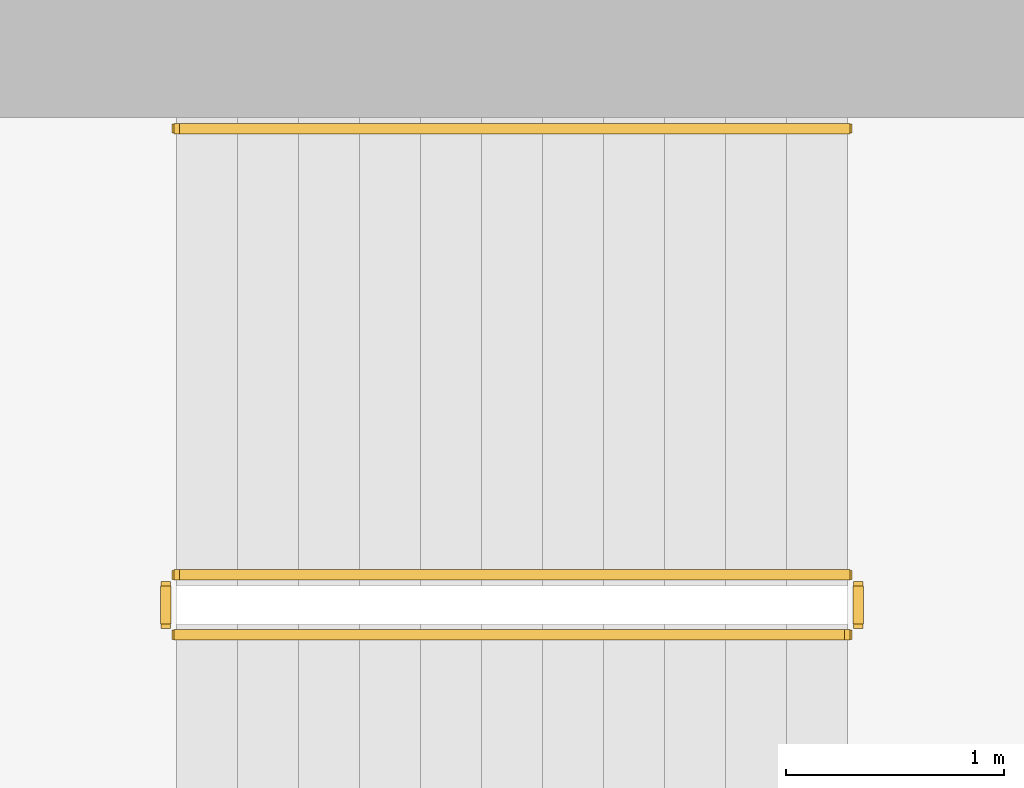
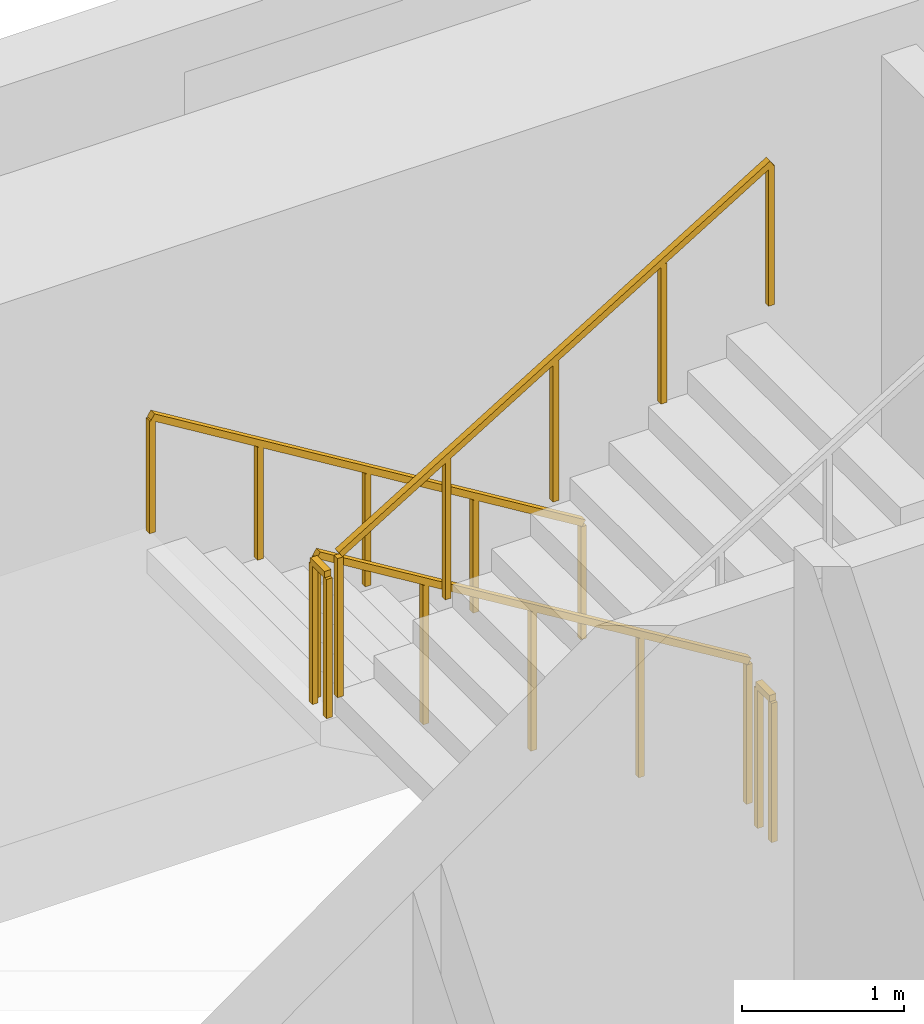
# One storey, part 13 of 14: 5 railings.
"""IFC4 building model written with IfcOpenShell, lengths in metres."""

from ifc_helpers import new_model, si_unit, direction, frame, origin, origin_2d, place, context, subcontext, project, spatial, rectangle, extrude, material, type_object, element, save


model = new_model("IFC4")

# Units and contexts
model_context = context("Model", 3, precision=1e-05, world=origin(), true_north=direction((0.0, 1.0)))
body_context = subcontext(model_context, "Body", "Model", "MODEL_VIEW")
ifc_project = project(units=[si_unit("LENGTHUNIT", "METRE"), si_unit("AREAUNIT", "SQUARE_METRE"), si_unit("VOLUMEUNIT", "CUBIC_METRE"), si_unit("PLANEANGLEUNIT", "RADIAN"), si_unit("MASSUNIT", "GRAM", prefix="KILO")], contexts=[model_context])

# Site, building, storey
site_placement = place(None, origin())
site = spatial("IfcSite", under=ifc_project, at=site_placement, CompositionType="ELEMENT")
building_placement = place(site_placement, origin())
building = spatial("IfcBuilding", under=site, at=building_placement, Name="Cypress Arch Tower", CompositionType="ELEMENT")
storey_placement = place(building_placement, frame((0.0, 0.0, 251.60009765625)))
storey = spatial("IfcBuildingStorey", under=building, at=storey_placement, Name="L56", CompositionType="ELEMENT", Elevation=251.60009765625)

# Railings
ifc_material_1 = material(Name="Black powder-coated steel square bar 48 mm", Category="steel")
railing_type_1 = type_object("IfcRailingType", Name="Stair handrail HR1", PredefinedType="HANDRAIL", material=ifc_material_1)
railing_1_placement = place(storey_placement, frame((-22.27490234375, 14.75, 0.170654296875)))
element("IfcRailing", 1, at=railing_1_placement, inside=storey, type_object=railing_type_1, Name="L56 B stair handrail 1", PredefinedType="HANDRAIL", context=body_context, shape_type="SweptSolid", body=[
    extrude(rectangle(XDim=0.048095703125, YDim=0.048095703125, at=origin_2d()), frame((0.0, 0.0, 0.8759765625), z_axis=(-0.853666305674, 0.0, 0.52082035152), x_axis=(0.0, -1.0, 0.0)), (0.0, 0.0, 1.0), 3.608154296875),
    extrude(rectangle(XDim=0.0419921875, YDim=0.0419921875, at=origin_2d()), origin(), (0.0, 0.0, 1.0), 0.851806640625),
    extrude(rectangle(XDim=0.0419921875, YDim=0.0419921875, at=origin_2d()), frame((-0.77001953125, 0.0, 0.4697265625)), (0.0, 0.0, 1.0), 0.851806640625),
    extrude(rectangle(XDim=0.0419921875, YDim=0.0419921875, at=origin_2d()), frame((-1.5400390625, 0.0, 0.939453125)), (0.0, 0.0, 1.0), 0.851806640625),
    extrude(rectangle(XDim=0.0419921875, YDim=0.0419921875, at=origin_2d()), frame((-2.31005859375, 0.0, 1.409423828125)), (0.0, 0.0, 1.0), 0.851806640625),
    extrude(rectangle(XDim=0.0419921875, YDim=0.0419921875, at=origin_2d()), frame((-3.080078125, 0.0, 1.879150390625)), (0.0, 0.0, 1.0), 0.851806640625),
])
ifc_material_2 = material(Name="Black powder-coated steel balusters", Category="steel")
railing_type_2 = type_object("IfcRailingType", Name="Stair well guard G1", PredefinedType="GUARDRAIL", material=ifc_material_2)
railing_2_placement = place(storey_placement, frame((-22.27490234375, 12.699951171875, 0.170654296875)))
element("IfcRailing", 2, at=railing_2_placement, inside=storey, type_object=railing_type_2, Name="L56 B stair guard 1", PredefinedType="GUARDRAIL", context=body_context, shape_type="SweptSolid", body=[
    extrude(rectangle(XDim=0.048095703125, YDim=0.048095703125, at=origin_2d()), frame((0.0, 0.0, 1.076171875), z_axis=(-0.853666305674, 0.0, 0.52082035152), x_axis=(0.0, -1.0, 0.0)), (0.0, 0.0, 1.0), 3.608154296875),
    extrude(rectangle(XDim=0.0419921875, YDim=0.0419921875, at=origin_2d()), origin(), (0.0, 0.0, 1.0), 1.052001953125),
    extrude(rectangle(XDim=0.0419921875, YDim=0.0419921875, at=origin_2d()), frame((-0.77001953125, 0.0, 0.4697265625)), (0.0, 0.0, 1.0), 1.052001953125),
    extrude(rectangle(XDim=0.0419921875, YDim=0.0419921875, at=origin_2d()), frame((-1.5400390625, 0.0, 0.939453125)), (0.0, 0.0, 1.0), 1.052001953125),
    extrude(rectangle(XDim=0.0419921875, YDim=0.0419921875, at=origin_2d()), frame((-2.31005859375, 0.0, 1.409423828125)), (0.0, 0.0, 1.0), 1.052001953125),
    extrude(rectangle(XDim=0.0419921875, YDim=0.0419921875, at=origin_2d()), frame((-3.080078125, 0.0, 1.879150390625)), (0.0, 0.0, 1.0), 1.052001953125),
])
railing_3_placement = place(storey_placement, frame((-25.405029296875, 12.64990234375, 2.0498046875)))
element("IfcRailing", 3, at=railing_3_placement, inside=storey, type_object=railing_type_2, Name="L56 B stair guard 2", PredefinedType="GUARDRAIL", context=body_context, shape_type="SweptSolid", body=[
    extrude(rectangle(XDim=0.048095703125, YDim=0.048095703125, at=origin_2d()), frame((0.0, 0.0, 1.076171875), z_axis=(0.0, -1.0, 0.0), x_axis=(1.0, 0.0, 0.0)), (0.0, 0.0, 1.0), 0.1748046875),
    extrude(rectangle(XDim=0.0419921875, YDim=0.0419921875, at=origin_2d()), origin(), (0.0, 0.0, 1.0), 1.052001953125),
    extrude(rectangle(XDim=0.0419921875, YDim=0.0419921875, at=origin_2d()), frame((0.0, -0.1748046875, 0.0)), (0.0, 0.0, 1.0), 1.052001953125),
])
railing_4_placement = place(storey_placement, frame((-25.35498046875, 12.425048828125, 2.220703125)))
element("IfcRailing", 4, at=railing_4_placement, inside=storey, type_object=railing_type_2, Name="L56 B stair guard 3", PredefinedType="GUARDRAIL", context=body_context, shape_type="SweptSolid", body=[
    extrude(rectangle(XDim=0.048095703125, YDim=0.048095703125, at=origin_2d()), frame((0.0, 0.0, 1.076171875), z_axis=(0.853666305674, 0.0, 0.52082035152), x_axis=(0.0, 1.0, 0.0)), (0.0, 0.0, 1.0), 3.608154296875),
    extrude(rectangle(XDim=0.0419921875, YDim=0.0419921875, at=origin_2d()), origin(), (0.0, 0.0, 1.0), 1.052001953125),
    extrude(rectangle(XDim=0.0419921875, YDim=0.0419921875, at=origin_2d()), frame((0.77001953125, 0.0, 0.4697265625)), (0.0, 0.0, 1.0), 1.052001953125),
    extrude(rectangle(XDim=0.0419921875, YDim=0.0419921875, at=origin_2d()), frame((1.5400390625, 0.0, 0.939453125)), (0.0, 0.0, 1.0), 1.052001953125),
    extrude(rectangle(XDim=0.0419921875, YDim=0.0419921875, at=origin_2d()), frame((2.31005859375, 0.0, 1.409423828125)), (0.0, 0.0, 1.0), 1.052001953125),
    extrude(rectangle(XDim=0.0419921875, YDim=0.0419921875, at=origin_2d()), frame((3.080078125, 0.0, 1.879150390625)), (0.0, 0.0, 1.0), 1.052001953125),
])
railing_5_placement = place(storey_placement, frame((-22.22509765625, 12.64990234375, 0.0)))
element("IfcRailing", 5, at=railing_5_placement, inside=storey, type_object=railing_type_2, Name="L56 B stair guard 4", PredefinedType="GUARDRAIL", context=body_context, shape_type="SweptSolid", body=[
    extrude(rectangle(XDim=0.048095703125, YDim=0.048095703125, at=origin_2d()), frame((0.0, 0.0, 1.076171875), z_axis=(0.0, -1.0, 0.0), x_axis=(1.0, 0.0, 0.0)), (0.0, 0.0, 1.0), 0.1748046875),
    extrude(rectangle(XDim=0.0419921875, YDim=0.0419921875, at=origin_2d()), origin(), (0.0, 0.0, 1.0), 1.052001953125),
    extrude(rectangle(XDim=0.0419921875, YDim=0.0419921875, at=origin_2d()), frame((0.0, -0.1748046875, 0.0)), (0.0, 0.0, 1.0), 1.052001953125),
])

save(model, "model.ifc")
